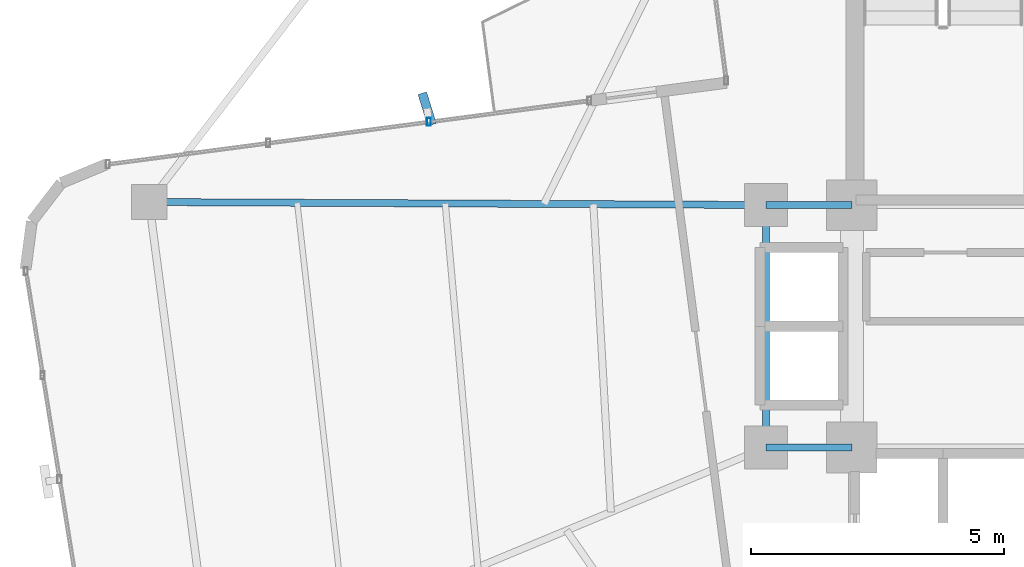
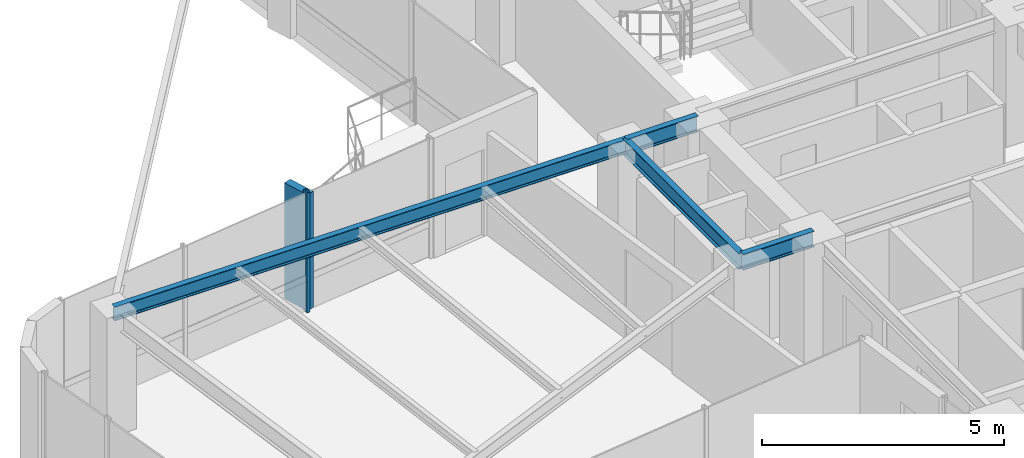
# One storey, part 8 of 22: 4 beams, 2 members, 1 element without a shape of its own.
"""IFC4 building model written with IfcOpenShell, lengths in metres."""

from ifc_helpers import new_model, si_unit, direction, frame, origin, origin_2d, place, context, subcontext, project, spatial, rectangle, hollow_rectangle, i_section, extrude, source, transform, mapped, material, material_profile, profile_set, type_object, element, aggregate, save


model = new_model("IFC4")

# Units and contexts
model_context = context("Model", 3, precision=1e-05, world=origin(), true_north=direction((0.0, 1.0)))
body_context = subcontext(model_context, "Body", "Model", "MODEL_VIEW")
ifc_project = project(units=[si_unit("LENGTHUNIT", "METRE"), si_unit("AREAUNIT", "SQUARE_METRE"), si_unit("VOLUMEUNIT", "CUBIC_METRE"), si_unit("PLANEANGLEUNIT", "RADIAN"), si_unit("MASSUNIT", "GRAM", prefix="KILO")], contexts=[model_context])

# Site, building, storey
site_placement = place(None, origin())
site = spatial("IfcSite", under=ifc_project, at=site_placement, CompositionType="ELEMENT")
building_placement = place(site_placement, origin())
building = spatial("IfcBuilding", under=site, at=building_placement, Name="Sahyath Konkavel Grand Hotel", CompositionType="ELEMENT")
storey_placement = place(building_placement, frame((0.0, 0.0, 261.25)))
storey = spatial("IfcBuildingStorey", under=building, at=storey_placement, Name="L73", CompositionType="ELEMENT", Elevation=261.25)

# Beams
ifc_material_1 = material(Name="Steel E350", Category="steel")
ifc_material_profile_1 = material_profile(ifc_material_1, i_section(OverallWidth=0.139892578125, OverallDepth=0.39990234375, WebThickness=0.0087890625, FlangeThickness=0.01611328125, FilletRadius=0.013916015625, at=origin_2d()), Name="ISMB 400")
ifc_profile_set_1 = profile_set([ifc_material_profile_1], Name="Steel E350")
beam_type_1 = type_object("IfcBeamType", Name="BM-ISMB400", PredefinedType="BEAM", material=ifc_profile_set_1)
shared_shape_1 = source(origin(), body_context, "Body", "SweptSolid", [
    extrude(i_section(OverallWidth=0.139892578125, OverallDepth=0.39990234375, WebThickness=0.0087890625, FlangeThickness=0.01611328125, FilletRadius=0.013916015625, at=origin_2d()), origin(), (0.0, 0.0, 1.0), 1.699951171875),
])
for number, where, z_axis, x_axis, name in (
    (1, (-5.5, 2.39990234375, 2.830078125), (1.0, 0.0, 0.0), (0.0, 1.0, 0.0), "str:bm:L73:HB-NW"),
    (2, (-5.5, -2.39990234375, 2.830078125), (1.0, 0.0, 0.0), (0.0, 1.0, 0.0), "str:bm:L73:HB-SW"),
):
    element("IfcBeam", number, at=place(storey_placement, frame(where, z_axis=z_axis, x_axis=x_axis)), inside=storey, type_object=beam_type_1, Name=name, PredefinedType="BEAM", context=body_context, shape_type="MappedRepresentation", body=[
        mapped(shared_shape_1, transform((0.0, 0.0, 0.0), scale=1.0)),
    ])
shared_shape_2 = source(origin(), body_context, "Body", "SweptSolid", [
    extrude(i_section(OverallWidth=0.139892578125, OverallDepth=0.39990234375, WebThickness=0.0087890625, FlangeThickness=0.01611328125, FilletRadius=0.013916015625, at=origin_2d()), origin(), (0.0, 0.0, 1.0), 4.7998046875),
])
beam_1_placement = place(storey_placement, frame((-5.5, -2.39990234375, 2.830078125), z_axis=(0.0, 1.0, 0.0), x_axis=(-1.0, 0.0, 0.0)))
element("IfcBeam", 3, at=beam_1_placement, inside=storey, type_object=beam_type_1, Name="str:bm:L73:HB-W", PredefinedType="BEAM", context=body_context, shape_type="MappedRepresentation", body=[
    mapped(shared_shape_2, transform((0.0, 0.0, 0.0), scale=1.0)),
])
ifc_material_profile_2 = material_profile(ifc_material_1, i_section(OverallWidth=0.139892578125, OverallDepth=0.35009765625, WebThickness=0.008056640625, FlangeThickness=0.01416015625, FilletRadius=0.013916015625, at=origin_2d()), Name="ISMB 350")
ifc_profile_set_2 = profile_set([ifc_material_profile_2], Name="Steel E350")
beam_type_2 = type_object("IfcBeamType", Name="BM-ISMB350", PredefinedType="BEAM", material=ifc_profile_set_2)
shared_shape_3 = source(origin(), body_context, "Body", "SweptSolid", [
    extrude(i_section(OverallWidth=0.139892578125, OverallDepth=0.35009765625, WebThickness=0.008056640625, FlangeThickness=0.01416015625, FilletRadius=0.013916015625, at=origin_2d()), origin(), (0.0, 0.0, 1.0), 12.212646484375),
])
beam_2_placement = place(storey_placement, frame((-5.5, 2.39990234375, 2.85498046875), z_axis=(-0.999988297706, 0.004837814722, 0.0), x_axis=(-0.004837814722, -0.999988297706, 0.0)))
element("IfcBeam", 4, at=beam_2_placement, inside=storey, type_object=beam_type_2, Name="L73 Cruciform Radial Girder WA", PredefinedType="BEAM", context=body_context, shape_type="MappedRepresentation", body=[
    mapped(shared_shape_3, transform((0.0, 0.0, 0.0), scale=1.0)),
])

# Curtain wall, members
ifc_material_2 = material(Name="Anodised Bronze Aluminium & Low-E Glazing", Category="aluminium")
curtain_wall_type = type_object("IfcCurtainWallType", Name="CW-ZONE4", PredefinedType="NOTDEFINED", material=ifc_material_2)
curtain_wall_placement = place(storey_placement, origin())
curtain_wall = element("IfcCurtainWall", 5, at=curtain_wall_placement, inside=storey, type_object=curtain_wall_type, Name="L73 Unitised Curtain Wall F16", PredefinedType="NOTDEFINED")
ifc_material_3 = material(Name="Anodised Bronze Aluminium", Category="aluminium")
ifc_material_profile_3 = material_profile(ifc_material_3, hollow_rectangle(XDim=0.080078125, YDim=0.159912109375, WallThickness=0.006103515625, at=origin_2d()), Name="RHS 160x80x6")
ifc_profile_set_3 = profile_set([ifc_material_profile_3], Name="Anodised Bronze Aluminium")
member_type_1 = type_object("IfcMemberType", Name="CW-MUL-160", PredefinedType="MULLION", material=ifc_profile_set_3)
shared_shape_4 = source(origin(), body_context, "Body", "SweptSolid", [
    extrude(hollow_rectangle(XDim=0.080078125, YDim=0.159912109375, WallThickness=0.006103515625, at=origin_2d()), origin(), (0.0, 0.0, 1.0), 3.030029296875),
])
member_1_placement = place(storey_placement, frame((-12.175537109375, 4.04541015625, 0.0), z_axis=(0.0, 0.0, 1.0), x_axis=(1.0, 0.0, 0.0)))
member_1 = element("IfcMember", 6, at=member_1_placement, type_object=member_type_1, Name="L73 Curtain Wall Mullion F16-1", PredefinedType="MULLION", context=body_context, shape_type="MappedRepresentation", body=[
    mapped(shared_shape_4, transform((0.0, 0.0, 0.0), scale=1.0)),
])
ifc_material_4 = material(Name="Warm Buff Sandstone Cladding on Concrete C50/60", Category="masonry")
ifc_material_profile_4 = material_profile(ifc_material_4, rectangle(XDim=0.179931640625, YDim=0.64990234375, at=origin_2d()), Name="FIN 180x650")
ifc_profile_set_4 = profile_set([ifc_material_profile_4], Name="Warm Buff Sandstone Cladding on Concrete C50/60")
member_type_2 = type_object("IfcMemberType", Name="FIN-SANDSTONE-650", PredefinedType="MULLION", material=ifc_profile_set_4)
shared_shape_5 = source(origin(), body_context, "Body", "SweptSolid", [
    extrude(rectangle(XDim=0.179931640625, YDim=0.64990234375, at=origin_2d()), origin(), (0.0, 0.0, 1.0), 2.929931640625),
])
member_2_placement = place(storey_placement, frame((-12.20947265625, 4.30322265625, 0.050048828125), z_axis=(0.0, 0.0, 1.0), x_axis=(0.954812686667, 0.297208232354, 0.0)))
member_2 = element("IfcMember", 7, at=member_2_placement, type_object=member_type_2, Name="L73 Sandstone Vertical Solar Fin FIN F16-1", PredefinedType="MULLION", context=body_context, shape_type="MappedRepresentation", body=[
    mapped(shared_shape_5, transform((0.0, 0.0, 0.0), scale=1.0)),
])
aggregate(curtain_wall, [member_1, member_2])

save(model, "model.ifc")
